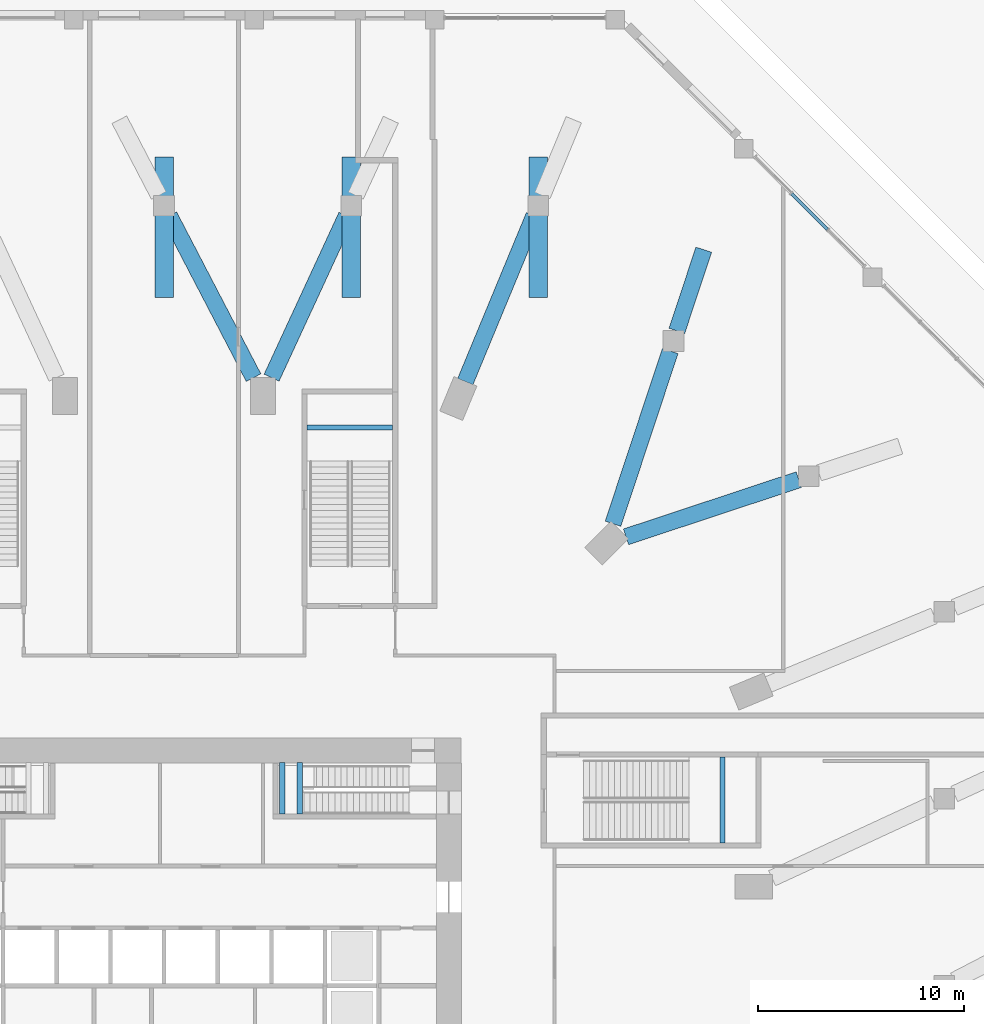
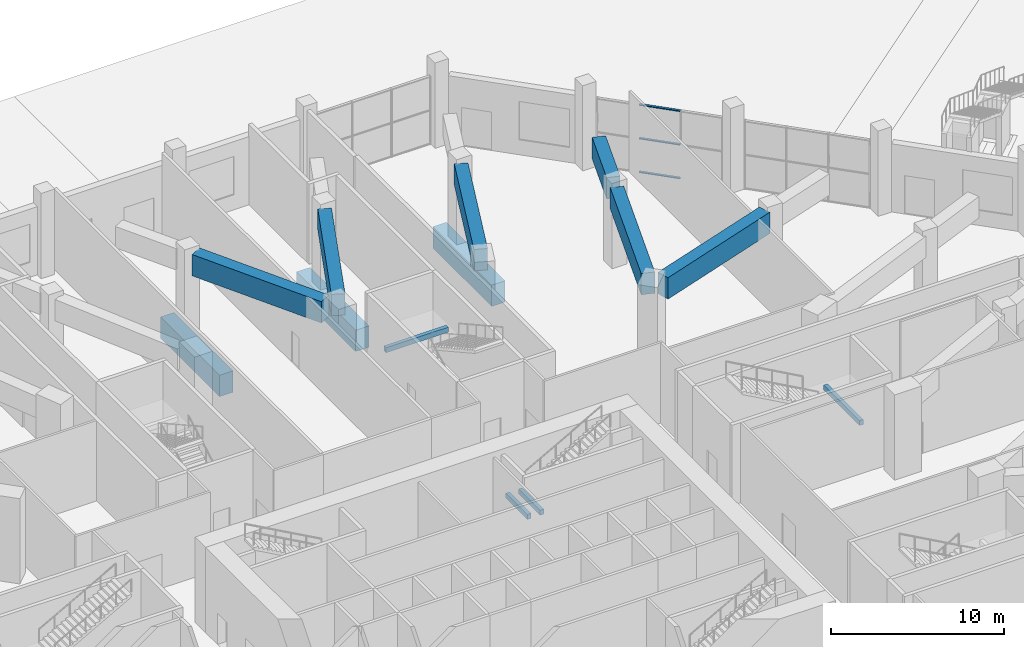
# One storey, part 13 of 36: 13 beams, 3 members, 1 element without a shape of its own.
"""IFC4 building model written with IfcOpenShell, lengths in metres."""

from ifc_helpers import new_model, si_unit, direction, frame, origin, origin_2d, place, context, subcontext, project, spatial, rectangle, extrude, material, material_profile, profile_set, type_object, element, aggregate, save


model = new_model("IFC4")

# Units and contexts
model_context = context("Model", 3, precision=1e-05, world=origin(), true_north=direction((0.0, 1.0)))
body_context = subcontext(model_context, "Body", "Model", "MODEL_VIEW")
ifc_project = project(units=[si_unit("LENGTHUNIT", "METRE"), si_unit("AREAUNIT", "SQUARE_METRE"), si_unit("VOLUMEUNIT", "CUBIC_METRE"), si_unit("PLANEANGLEUNIT", "RADIAN"), si_unit("MASSUNIT", "GRAM", prefix="KILO")], contexts=[model_context])

# Site, building, storey
site_placement = place(None, origin())
site = spatial("IfcSite", under=ifc_project, at=site_placement, CompositionType="ELEMENT")
building_placement = place(site_placement, origin())
building = spatial("IfcBuilding", under=site, at=building_placement, Name="Msitu Wima Residences", CompositionType="ELEMENT")
storey_placement = place(building_placement, origin())
storey = spatial("IfcBuildingStorey", under=building, at=storey_placement, Name="L00", CompositionType="ELEMENT", Elevation=0.0)

# Beams
ifc_material_1 = material(Name="Concrete C40/50", Category="concrete")
ifc_material_profile_1 = material_profile(ifc_material_1, rectangle(XDim=0.25, YDim=0.35009765625, at=origin_2d()), Name="RC 250x350")
ifc_profile_set_1 = profile_set([ifc_material_profile_1], Name="Concrete C40/50")
beam_type_1 = type_object("IfcBeamType", Name="Landing beam RC 250x350", PredefinedType="BEAM", material=ifc_profile_set_1)
for number, where, z_axis, x_axis, name in (
    (1, (6.574951171875, 8.324951171875, 2.625), (0.0, 1.0, 0.0), (-1.0, 0.0, 0.0), "Stair 3 landing beam"),
    (2, (5.72509765625, 8.324951171875, 2.625), (0.0, 1.0, 0.0), (-1.0, 0.0, 0.0), "Stair 3 landing beam"),
):
    element("IfcBeam", number, at=place(storey_placement, frame(where, z_axis=z_axis, x_axis=x_axis)), inside=storey, type_object=beam_type_1, Name=name, PredefinedType="BEAM", context=body_context, shape_type="SweptSolid", body=[
        extrude(rectangle(XDim=0.25, YDim=0.35009765625, at=origin_2d()), origin(), (0.0, 0.0, 1.0), 2.5),
    ])
for number, where, z_axis, x_axis, name in (
    (3, (27.050048828125, 6.925048828125, 2.625), (0.0, 1.0, 0.0), (-1.0, 0.0, 0.0), "Podium exit stair 1 landing beam"),
    (4, (6.925048828125, 27.050048828125, 2.625), (1.0, 0.0, 0.0), (0.0, 1.0, 0.0), "Podium exit stair 4 landing beam"),
):
    element("IfcBeam", number, at=place(storey_placement, frame(where, z_axis=z_axis, x_axis=x_axis)), inside=storey, type_object=beam_type_1, Name=name, PredefinedType="BEAM", context=body_context, shape_type="SweptSolid", body=[
        extrude(rectangle(XDim=0.25, YDim=0.35009765625, at=origin_2d()), origin(), (0.0, 0.0, 1.0), 4.14990234375),
    ])
ifc_material_2 = material(Name="Concrete C60/75", Category="concrete")
ifc_material_profile_2 = material_profile(ifc_material_2, rectangle(XDim=0.800048828125, YDim=1.5, at=origin_2d()), Name="RC 800x1500")
ifc_profile_set_2 = profile_set([ifc_material_profile_2], Name="Concrete C60/75")
beam_type_2 = type_object("IfcBeamType", Name="Podium cantilever girder RC 800x1500 Concrete C60/75", PredefinedType="BEAM", material=ifc_profile_set_2)
for number, where, z_axis, x_axis, name in (
    (5, (22.3857421875, 21.753662109375, 4.89990234375), (0.949351421347, 0.314216293001, 0.0), (-0.314216293001, 0.949351421347, 0.0), "Podium cantilever girder L01 C-NE1 back-span"),
    (6, (21.753662109375, 22.3857421875, 4.89990234375), (0.314216293001, 0.949351421347, 0.0), (-0.949351421347, 0.314216293001, 0.0), "Podium cantilever girder L01 C-NE2 back-span"),
):
    element("IfcBeam", number, at=place(storey_placement, frame(where, z_axis=z_axis, x_axis=x_axis)), inside=storey, type_object=beam_type_2, Name=name, PredefinedType="BEAM", context=body_context, shape_type="SweptSolid", body=[
        extrude(rectangle(XDim=0.800048828125, YDim=1.5, at=origin_2d()), origin(), (0.0, 0.0, 1.0), 8.81494140625),
    ])
beam_1_placement = place(storey_placement, frame((14.5966796875, 29.274658203125, 4.89990234375), z_axis=(0.382667433171, 0.923886159432, 0.0), x_axis=(-0.923886159432, 0.382667433171, 0.0)))
element("IfcBeam", 7, at=beam_1_placement, inside=storey, type_object=beam_type_2, Name="Podium cantilever girder L01 C-N0 back-span", PredefinedType="BEAM", context=body_context, shape_type="SweptSolid", body=[
    extrude(rectangle(XDim=0.800048828125, YDim=1.5, at=origin_2d()), origin(), (0.0, 0.0, 1.0), 8.698486328125),
])
beam_2_placement = place(storey_placement, frame((5.2109375, 29.464111328125, 4.89990234375), z_axis=(0.419573918432, 0.907721172482, 0.0), x_axis=(-0.907721172482, 0.419573918432, 0.0)))
element("IfcBeam", 8, at=beam_2_placement, inside=storey, type_object=beam_type_2, Name="Podium cantilever girder L01 C-N1 back-span", PredefinedType="BEAM", context=body_context, shape_type="SweptSolid", body=[
    extrude(rectangle(XDim=0.800048828125, YDim=1.5, at=origin_2d()), origin(), (0.0, 0.0, 1.0), 8.644287109375),
])
beam_3_placement = place(storey_placement, frame((4.337158203125, 29.46435546875, 4.89990234375), z_axis=(-0.461575213793, 0.887101077675, 0.0), x_axis=(-0.887101077675, -0.461575213793, 0.0)))
element("IfcBeam", 9, at=beam_3_placement, inside=storey, type_object=beam_type_2, Name="Podium cantilever girder L01 C-N2 back-span", PredefinedType="BEAM", context=body_context, shape_type="SweptSolid", body=[
    extrude(rectangle(XDim=0.800048828125, YDim=1.5, at=origin_2d()), origin(), (0.0, 0.0, 1.0), 8.8447265625),
])
ifc_material_profile_3 = material_profile(ifc_material_2, rectangle(XDim=0.800048828125, YDim=1.5, at=origin_2d()), Name="RC 800x1500")
ifc_profile_set_3 = profile_set([ifc_material_profile_3], Name="Concrete C60/75")
beam_type_3 = type_object("IfcBeamType", Name="Podium cantilever girder tip RC 800x1500 Concrete C60/75", PredefinedType="BEAM", material=ifc_profile_set_3)
beam_4_placement = place(storey_placement, frame((24.846923828125, 31.731201171875, 4.89990234375), z_axis=(0.314264410189, 0.949335494169, 0.0), x_axis=(-0.949335494169, 0.314264410189, 0.0)))
element("IfcBeam", 10, at=beam_4_placement, inside=storey, type_object=beam_type_3, Name="Podium cantilever girder L01 C-NE2 cantilever", PredefinedType="BEAM", context=body_context, shape_type="SweptSolid", body=[
    extrude(rectangle(XDim=0.800048828125, YDim=1.5, at=origin_2d()), origin(), (0.0, 0.0, 1.0), 4.142333984375),
])
ifc_material_3 = material(Name="Concrete C70/85", Category="concrete")
ifc_material_profile_4 = material_profile(ifc_material_3, rectangle(XDim=0.89990234375, YDim=1.5, at=origin_2d()), Name="RC 900x1500")
ifc_profile_set_4 = profile_set([ifc_material_profile_4], Name="Concrete C70/85")
beam_type_4 = type_object("IfcBeamType", Name="Ramp transfer girder TG900x1500", PredefinedType="BEAM", material=ifc_profile_set_4)
for number, where, z_axis, x_axis, name in (
    (11, (0.0, 33.35009765625, -1.199951171875), (0.0, 1.0, 0.0), (-1.0, 0.0, 0.0), "Ramp transfer girder 3"),
    (12, (9.06396484375, 33.35009765625, -1.199951171875), (0.0, 1.0, 0.0), (-1.0, 0.0, 0.0), "Ramp transfer girder 4"),
    (13, (18.1279296875, 33.35009765625, -1.199951171875), (0.0, 1.0, 0.0), (-1.0, 0.0, 0.0), "Ramp transfer girder 5"),
):
    element("IfcBeam", number, at=place(storey_placement, frame(where, z_axis=z_axis, x_axis=x_axis)), inside=storey, type_object=beam_type_4, Name=name, PredefinedType="BEAM", context=body_context, shape_type="SweptSolid", body=[
        extrude(rectangle(XDim=0.89990234375, YDim=1.5, at=origin_2d()), origin(), (0.0, 0.0, 1.0), 6.7998046875),
    ])

# Curtain wall, members
ifc_material_4 = material(Name="Anodised aluminium, bronze finish, clear laminated low-emissivity double glazing", Category="aluminium")
curtain_wall_type = type_object("IfcCurtainWallType", Name="Curtain wall CW1 shopfront", PredefinedType="NOTDEFINED", material=ifc_material_4)
curtain_wall_placement = place(storey_placement, origin())
curtain_wall = element("IfcCurtainWall", 14, at=curtain_wall_placement, inside=storey, type_object=curtain_wall_type, Name="Curtain wall CW1 L00 NE2", PredefinedType="NOTDEFINED")
ifc_material_5 = material(Name="Anodised aluminium, bronze finish", Category="aluminium")
ifc_material_profile_5 = material_profile(ifc_material_5, rectangle(XDim=0.14990234375, YDim=0.06494140625, at=origin_2d()), Name="Transom 65x150")
ifc_profile_set_5 = profile_set([ifc_material_profile_5], Name="Anodised aluminium, bronze finish")
member_type = type_object("IfcMemberType", Name="Transom CW1 65x150", PredefinedType="USERDEFINED", material=ifc_profile_set_5)
member_1_placement = place(storey_placement, frame((32.14697265625, 36.650390625, 0.032470703125), z_axis=(-0.707106781187, 0.707106781187, 0.0), x_axis=(-0.707106781187, -0.707106781187, 0.0)))
member_1 = element("IfcMember", 15, at=member_1_placement, type_object=member_type, Name="CW1 transom 2.1", ObjectType="TRANSOM", PredefinedType="USERDEFINED", context=body_context, shape_type="SweptSolid", body=[
    extrude(rectangle(XDim=0.14990234375, YDim=0.06494140625, at=origin_2d()), origin(), (0.0, 0.0, 1.0), 2.450439453125),
])
member_2_placement = place(storey_placement, frame((32.14697265625, 36.650390625, 2.39990234375), z_axis=(-0.707106781187, 0.707106781187, 0.0), x_axis=(-0.707106781187, -0.707106781187, 0.0)))
member_2 = element("IfcMember", 16, at=member_2_placement, type_object=member_type, Name="CW1 transom 2.2", ObjectType="TRANSOM", PredefinedType="USERDEFINED", context=body_context, shape_type="SweptSolid", body=[
    extrude(rectangle(XDim=0.14990234375, YDim=0.06494140625, at=origin_2d()), origin(), (0.0, 0.0, 1.0), 2.450439453125),
])
member_3_placement = place(storey_placement, frame((32.14697265625, 36.650390625, 4.767578125), z_axis=(-0.707106781187, 0.707106781187, 0.0), x_axis=(-0.707106781187, -0.707106781187, 0.0)))
member_3 = element("IfcMember", 17, at=member_3_placement, type_object=member_type, Name="CW1 transom 2.3", ObjectType="TRANSOM", PredefinedType="USERDEFINED", context=body_context, shape_type="SweptSolid", body=[
    extrude(rectangle(XDim=0.14990234375, YDim=0.06494140625, at=origin_2d()), origin(), (0.0, 0.0, 1.0), 2.450439453125),
])
aggregate(curtain_wall, [member_1, member_2, member_3])

save(model, "model.ifc")
